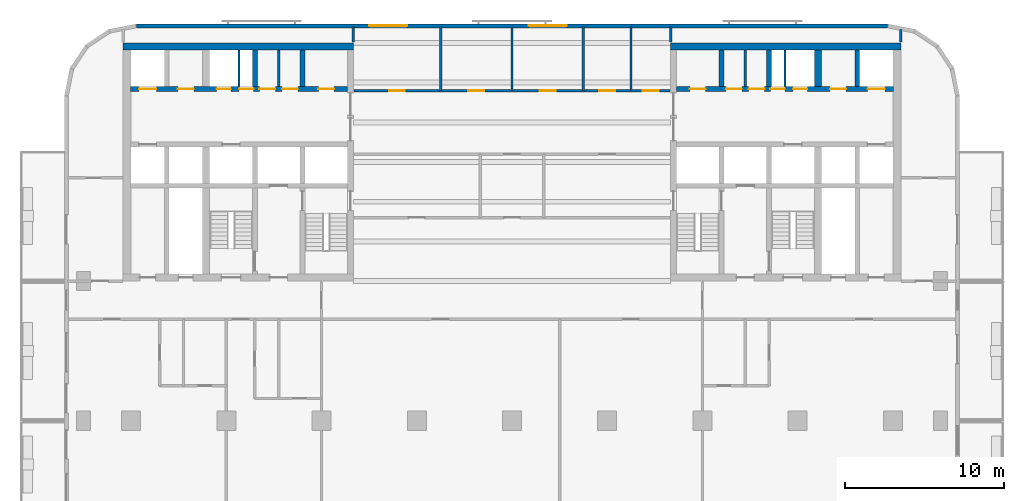
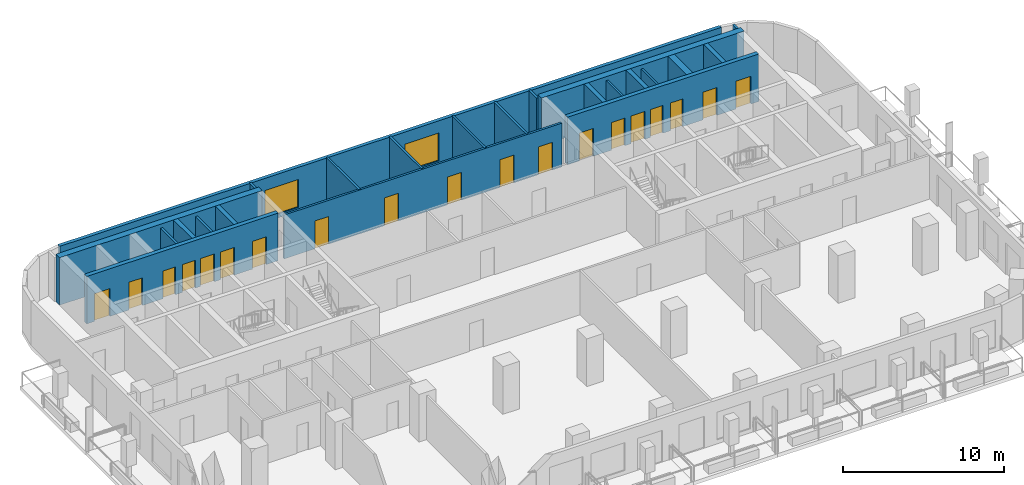
# One storey, part 6 of 11: 23 walls, 19 doors, 2 windows, 21 openings.
"""IFC4 building model written with IfcOpenShell, lengths in metres."""

import ifcopenshell
import ifcopenshell.guid

model = None  # the IFC model being written
_history = None  # IfcOwnerHistory: only IFC2X3 demands one
_inside = {}  # id of a spatial element -> (the spatial element, [elements in it])
_under = {}  # id of a project, library or spatial element -> (it, [spatial elements below it])
_declared = {}  # id of a project -> (the project, [libraries it declares])
_typed = {}  # id of a type object -> (the type object, [elements of that type])
_made_of = {}  # id of a material, layer set ... -> (it, [elements and type objects made of it])


def new_model(schema):
    """Start an empty IFC model of exactly this schema.

    Asked for "IFC4X3", IfcOpenShell would pick the latest addendum, in which some entities
    have other attributes; the version numbers below select the first issue.
    IFC2X3 requires an IfcOwnerHistory on every rooted entity: one is made here for all.
    """
    global model, _history
    if schema == "IFC4X3":
        model = ifcopenshell.file(schema_version=(4, 3, 0, 0))
    else:
        model = ifcopenshell.file(schema=schema)
    _inside.clear()
    _under.clear()
    _declared.clear()
    _typed.clear()
    _made_of.clear()
    _history = None
    if model.schema == "IFC2X3":
        org = make("IfcOrganization", Name="unknown")
        user = make(
            "IfcPersonAndOrganization",
            ThePerson=make("IfcPerson", FamilyName="unknown"),
            TheOrganization=org,
        )
        app = make(
            "IfcApplication",
            ApplicationDeveloper=org,
            Version="unknown",
            ApplicationFullName="unknown",
            ApplicationIdentifier="unknown",
        )
        _history = make(
            "IfcOwnerHistory",
            OwningUser=user,
            OwningApplication=app,
            ChangeAction="ADDED",
            CreationDate=0,
        )
    return model


def make(cls, **values):
    """One entity of the class cls with the attributes given. An attribute that is None is left unset."""
    return model.create_entity(
        cls, **{name: value for name, value in values.items() if value is not None}
    )


def rooted(cls, **values):
    """An entity with a GlobalId (a new one), such as an element, a storey or a relation."""
    return make(cls, GlobalId=ifcopenshell.guid.new(), OwnerHistory=_history, **values)


def si_unit(unit_type, name, prefix=None):
    """IfcSIUnit, for example si_unit("LENGTHUNIT", "METRE", prefix="MILLI")."""
    return make("IfcSIUnit", UnitType=unit_type, Prefix=prefix, Name=name)


def assignment(units):
    """IfcUnitAssignment: the units of a project."""
    return None if units is None else make("IfcUnitAssignment", Units=units)


def point(xyz):
    """IfcCartesianPoint."""
    return None if xyz is None else make("IfcCartesianPoint", Coordinates=xyz)


def direction(xyz):
    """IfcDirection."""
    return None if xyz is None else make("IfcDirection", DirectionRatios=xyz)


def frame(location, z_axis=None, x_axis=None):
    """IfcAxis2Placement3D, a coordinate frame: its origin and axes. An axis left out is left unset."""
    return make(
        "IfcAxis2Placement3D",
        Location=point(location),
        Axis=direction(z_axis),
        RefDirection=direction(x_axis),
    )


def frame_2d(location, x_axis=None):
    """IfcAxis2Placement2D, a coordinate frame in the plane: its origin and x axis."""
    return make(
        "IfcAxis2Placement2D", Location=point(location), RefDirection=direction(x_axis)
    )


def origin():
    """The frame at (0, 0, 0) with its axes left unset."""
    return frame((0.0, 0.0, 0.0))


def place(relative_to, where):
    """IfcLocalPlacement: puts the frame where relative to a parent placement (None: the world)."""
    return make(
        "IfcLocalPlacement", PlacementRelTo=relative_to, RelativePlacement=where
    )


def context(
    kind, dimensions, precision=None, world=None, true_north=None, identifier=None
):
    """IfcGeometricRepresentationContext, for example the 3D "Model" context."""
    return make(
        "IfcGeometricRepresentationContext",
        ContextIdentifier=identifier,
        ContextType=kind,
        CoordinateSpaceDimension=dimensions,
        Precision=precision,
        WorldCoordinateSystem=world,
        TrueNorth=true_north,
    )


def subcontext(parent, identifier, kind, view, scale=None):
    """IfcGeometricRepresentationSubContext, for example "Body" below "Model"."""
    return make(
        "IfcGeometricRepresentationSubContext",
        ContextIdentifier=identifier,
        ContextType=kind,
        ParentContext=parent,
        TargetScale=scale,
        TargetView=view,
    )


def project(units=None, contexts=None):
    """IfcProject with its units and contexts."""
    return rooted(
        "IfcProject",
        Name="project",
        RepresentationContexts=contexts,
        UnitsInContext=assignment(units),
    )


def spatial(cls, under=None, at=None, **own):
    """A site, building, storey or space (cls), placed at a placement, below another one or the project."""
    s = rooted(cls, ObjectPlacement=at, **own)
    if under is not None:
        _under.setdefault(under.id(), (under, []))[1].append(s)
    return s


def profile(cls, at=None, kind="AREA", **sizes):
    """A parametric profile (cls). Its sizes go by their IFC names, for example OverallWidth=200.0."""
    return make(cls, ProfileType=kind, Position=at, **sizes)


def rectangle(**sizes):
    """IfcRectangleProfileDef."""
    return profile("IfcRectangleProfileDef", **sizes)


def extrude(swept, where, along, depth):
    """IfcExtrudedAreaSolid: the profile swept, set in the frame where, extruded along a direction by depth."""
    return make(
        "IfcExtrudedAreaSolid",
        SweptArea=swept,
        Position=where,
        ExtrudedDirection=direction(along),
        Depth=depth,
    )


def shape(context_of_items, identifier, shape_type, items):
    """IfcShapeRepresentation: the items that make up one representation, for example the "Body"."""
    return make(
        "IfcShapeRepresentation",
        ContextOfItems=context_of_items,
        RepresentationIdentifier=identifier,
        RepresentationType=shape_type,
        Items=items,
    )


def material(Name=None, Category=None):
    """IfcMaterial."""
    return make("IfcMaterial", Name=Name, Category=Category)


def layer(
    of_material, thickness, ventilated=None, Name=None, Category=None, Priority=None
):
    """IfcMaterialLayer: one layer of a wall or slab, of a material (None: an air gap)."""
    return make(
        "IfcMaterialLayer",
        Material=of_material,
        LayerThickness=thickness,
        IsVentilated=ventilated,
        Name=Name,
        Category=Category,
        Priority=Priority,
    )


def layer_set(layers, Name=None):
    """IfcMaterialLayerSet."""
    return make("IfcMaterialLayerSet", MaterialLayers=layers, LayerSetName=Name)


def made_of(thing, what):
    """Note that an element or type object is made of a material, layer set ...; save() writes the relation."""
    if what is not None:
        _made_of.setdefault(what.id(), (what, []))[1].append(thing)
    return thing


def type_object(cls, material=None, **own):
    """A type object (cls), such as IfcWallType, which elements share."""
    return made_of(rooted(cls, **own), material)


def element(
    cls,
    number,
    at=None,
    inside=None,
    cuts=None,
    type_object=None,
    material=None,
    context=None,
    identifier="Body",
    shape_type=None,
    held_by="IfcProductDefinitionShape",
    body=None,
    shapes=None,
    **own,
):
    """One element of the class cls, such as IfcWall. Its Tag is "e" and its number.

    at: its placement. inside: the storey or other place that contains it. cuts: it is an
    opening in that element (IfcRelVoidsElement). A single representation is given by context,
    identifier, shape_type and body (its items); several are given by shapes. held_by: the class
    of the entity that holds the representations. save() writes the other relations.
    """
    e = rooted(cls, Tag="e%d" % number, ObjectPlacement=at, **own)
    if body is not None:
        shapes = [shape(context, identifier, shape_type, body)]
    if shapes is not None:
        e.Representation = make(held_by, Representations=shapes)
    if inside is not None:
        _inside.setdefault(inside.id(), (inside, []))[1].append(e)
    if cuts is not None:
        rooted(
            "IfcRelVoidsElement", RelatingBuildingElement=cuts, RelatedOpeningElement=e
        )
    if type_object is not None:
        _typed.setdefault(type_object.id(), (type_object, []))[1].append(e)
    return made_of(e, material)


def fill(opening, filler):
    """IfcRelFillsElement: the door or window that sits in an opening."""
    return rooted(
        "IfcRelFillsElement",
        RelatingOpeningElement=opening,
        RelatedBuildingElement=filler,
    )


def aggregate(whole, parts):
    """IfcRelAggregates: a whole, such as a stair, and the parts it consists of."""
    return rooted("IfcRelAggregates", RelatingObject=whole, RelatedObjects=parts)


def save(model, path):
    """Write the relations noted so far, then the file.

    IfcRelAggregates (storeys below a building ...), IfcRelContainedInSpatialStructure (elements
    in a storey), IfcRelDefinesByType, IfcRelAssociatesMaterial and IfcRelDeclares: one each for
    every whole, place, type object, material and project.
    """
    for whole, parts in _under.values():
        aggregate(whole, parts)
    for where, things in _inside.values():
        rooted(
            "IfcRelContainedInSpatialStructure",
            RelatedElements=things,
            RelatingStructure=where,
        )
    for kind, things in _typed.values():
        rooted("IfcRelDefinesByType", RelatedObjects=things, RelatingType=kind)
    for what, things in _made_of.values():
        rooted("IfcRelAssociatesMaterial", RelatedObjects=things, RelatingMaterial=what)
    for by, libraries in _declared.values():
        rooted("IfcRelDeclares", RelatingContext=by, RelatedDefinitions=libraries)
    model.write(path)


model = new_model("IFC4")

# Units and contexts
model_context = context("Model", 3, precision=1e-05, world=origin(), true_north=direction((0.0, 1.0)))
body_context = subcontext(model_context, "Body", "Model", "MODEL_VIEW")
ifc_project = project(units=[si_unit("LENGTHUNIT", "METRE"), si_unit("AREAUNIT", "SQUARE_METRE"), si_unit("VOLUMEUNIT", "CUBIC_METRE"), si_unit("PLANEANGLEUNIT", "RADIAN"), si_unit("MASSUNIT", "GRAM", prefix="KILO")], contexts=[model_context])

# Site, building, storey
site_placement = place(None, origin())
site = spatial("IfcSite", under=ifc_project, at=site_placement, CompositionType="ELEMENT")
building_placement = place(site_placement, origin())
building = spatial("IfcBuilding", under=site, at=building_placement, Name="Torana Hotel and Residences", CompositionType="ELEMENT")
storey_placement = place(building_placement, frame((0.0, 0.0, 166.800048828125)))
storey = spatial("IfcBuildingStorey", under=building, at=storey_placement, Name="L43", CompositionType="ELEMENT", Elevation=166.800048828125)

# Wall, openings, doors
ifc_material_1 = material(Name="Concrete C70/85", Category="concrete")
ifc_layer_1 = layer(ifc_material_1, 0.300048828125)
ifc_layer_set_1 = layer_set([ifc_layer_1], Name="CORE WALL 300 C70/85")
wall_type_1 = type_object("IfcWallType", Name="CORE WALL 300 C70/85", PredefinedType="SHEAR", material=ifc_layer_set_1)
wall_1_placement = place(storey_placement, frame((-24.050048828125, -2.89990234375, 0.0), z_axis=(0.0, 0.0, 1.0), x_axis=(1.0, 0.0, 0.0)))
wall_1 = element("IfcWall", 1, at=wall_1_placement, inside=storey, type_object=wall_type_1, Name="Core wall W row-N", PredefinedType="SHEAR", context=body_context, shape_type="SweptSolid", body=[
    extrude(rectangle(XDim=13.699951171875, YDim=0.300048828125, at=frame_2d((6.85009765625, 0.0))), origin(), (0.0, 0.0, 1.0), 3.599853515625),
])
opening_1_placement = place(wall_1_placement, frame((0.550048828125, 0.0, 0.0)))
opening_1 = element("IfcOpeningElement", 2, at=opening_1_placement, cuts=wall_1, Name="Opening LD", PredefinedType="OPENING", context=body_context, shape_type="SweptSolid", body=[
    extrude(rectangle(XDim=1.10009765625, YDim=2.10009765625, at=frame_2d((0.550048828125, 1.050048828125))), frame((0.0, 0.159912109375, 0.0), z_axis=(0.0, -1.0, 0.0), x_axis=(1.0, 0.0, 0.0)), (0.0, 0.0, 1.0), 0.320068359375),
])
opening_2_placement = place(wall_1_placement, frame((6.862548828125, 0.0, 0.0)))
opening_2 = element("IfcOpeningElement", 3, at=opening_2_placement, cuts=wall_1, Name="Opening L43-08", PredefinedType="OPENING", context=body_context, shape_type="SweptSolid", body=[
    extrude(rectangle(XDim=0.89990234375, YDim=2.10009765625, at=frame_2d((0.449951171875, 1.050048828125))), frame((0.0, 0.159912109375, 0.0), z_axis=(0.0, -1.0, 0.0), x_axis=(1.0, 0.0, 0.0)), (0.0, 0.0, 1.0), 0.320068359375),
])
opening_3_placement = place(wall_1_placement, frame((5.4375, 0.0, 0.0)))
opening_3 = element("IfcOpeningElement", 4, at=opening_3_placement, cuts=wall_1, Name="Opening L43-09", PredefinedType="OPENING", context=body_context, shape_type="SweptSolid", body=[
    extrude(rectangle(XDim=0.89990234375, YDim=2.10009765625, at=frame_2d((0.449951171875, 1.050048828125))), frame((0.0, 0.159912109375, 0.0), z_axis=(0.0, -1.0, 0.0), x_axis=(1.0, 0.0, 0.0)), (0.0, 0.0, 1.0), 0.320068359375),
])
opening_4_placement = place(wall_1_placement, frame((11.85009765625, 0.0, 0.0)))
opening_4 = element("IfcOpeningElement", 5, at=opening_4_placement, cuts=wall_1, Name="Opening L43-10", PredefinedType="OPENING", context=body_context, shape_type="SweptSolid", body=[
    extrude(rectangle(XDim=1.0, YDim=2.10009765625, at=frame_2d((0.5, 1.050048828125))), frame((0.0, 0.159912109375, 0.0), z_axis=(0.0, -1.0, 0.0), x_axis=(1.0, 0.0, 0.0)), (0.0, 0.0, 1.0), 0.320068359375),
])
opening_5_placement = place(wall_1_placement, frame((9.5625, 0.0, 0.0)))
opening_5 = element("IfcOpeningElement", 6, at=opening_5_placement, cuts=wall_1, Name="Opening L43-11", PredefinedType="OPENING", context=body_context, shape_type="SweptSolid", body=[
    extrude(rectangle(XDim=1.0, YDim=2.10009765625, at=frame_2d((0.5, 1.050048828125))), frame((0.0, 0.159912109375, 0.0), z_axis=(0.0, -1.0, 0.0), x_axis=(1.0, 0.0, 0.0)), (0.0, 0.0, 1.0), 0.320068359375),
])
opening_6_placement = place(wall_1_placement, frame((8.137451171875, 0.0, 0.0)))
opening_6 = element("IfcOpeningElement", 7, at=opening_6_placement, cuts=wall_1, Name="Opening L43-12", PredefinedType="OPENING", context=body_context, shape_type="SweptSolid", body=[
    extrude(rectangle(XDim=1.0, YDim=2.10009765625, at=frame_2d((0.5, 1.050048828125))), frame((0.0, 0.159912109375, 0.0), z_axis=(0.0, -1.0, 0.0), x_axis=(1.0, 0.0, 0.0)), (0.0, 0.0, 1.0), 0.320068359375),
])
opening_7_placement = place(wall_1_placement, frame((3.0, 0.0, 0.0)))
opening_7 = element("IfcOpeningElement", 8, at=opening_7_placement, cuts=wall_1, Name="Opening L43-13", PredefinedType="OPENING", context=body_context, shape_type="SweptSolid", body=[
    extrude(rectangle(XDim=1.0, YDim=2.10009765625, at=frame_2d((0.5, 1.050048828125))), frame((0.0, 0.159912109375, 0.0), z_axis=(0.0, -1.0, 0.0), x_axis=(1.0, 0.0, 0.0)), (0.0, 0.0, 1.0), 0.320068359375),
])
ifc_material_2 = material(Name="Steel S235", Category="steel")
door_type_1 = type_object("IfcDoorType", Name="CORE ROOM FIRE DOOR D14 1000x2100", OperationType="SINGLE_SWING_LEFT", PredefinedType="DOOR", material=ifc_material_2)
door_1_placement = place(opening_4_placement, origin())
door_1 = element("IfcDoor", 9, at=door_1_placement, inside=storey, type_object=door_type_1, Name="N0 door L43", OperationType="SINGLE_SWING_RIGHT", OverallHeight=2.10009765625, OverallWidth=1.0, PredefinedType="DOOR", context=body_context, shape_type="SweptSolid", body=[
    extrude(rectangle(XDim=1.0, YDim=2.10009765625, at=frame_2d((0.5, 1.050048828125))), frame((0.0, 0.02490234375, 0.0), z_axis=(0.0, -1.0, 0.0), x_axis=(1.0, 0.0, 0.0)), (0.0, 0.0, 1.0), 0.050048828125),
])
fill(opening_4, door_1)
door_2_placement = place(opening_5_placement, origin())
door_2 = element("IfcDoor", 10, at=door_2_placement, inside=storey, type_object=door_type_1, Name="N1A door L43", OperationType="SINGLE_SWING_RIGHT", OverallHeight=2.10009765625, OverallWidth=1.0, PredefinedType="DOOR", context=body_context, shape_type="SweptSolid", body=[
    extrude(rectangle(XDim=1.0, YDim=2.10009765625, at=frame_2d((0.5, 1.050048828125))), frame((0.0, 0.02490234375, 0.0), z_axis=(0.0, -1.0, 0.0), x_axis=(1.0, 0.0, 0.0)), (0.0, 0.0, 1.0), 0.050048828125),
])
fill(opening_5, door_2)
door_3_placement = place(opening_6_placement, origin())
door_3 = element("IfcDoor", 11, at=door_3_placement, inside=storey, type_object=door_type_1, Name="N1B door L43", OperationType="SINGLE_SWING_RIGHT", OverallHeight=2.10009765625, OverallWidth=1.0, PredefinedType="DOOR", context=body_context, shape_type="SweptSolid", body=[
    extrude(rectangle(XDim=1.0, YDim=2.10009765625, at=frame_2d((0.5, 1.050048828125))), frame((0.0, 0.02490234375, 0.0), z_axis=(0.0, -1.0, 0.0), x_axis=(1.0, 0.0, 0.0)), (0.0, 0.0, 1.0), 0.050048828125),
])
fill(opening_6, door_3)
door_4_placement = place(opening_7_placement, origin())
door_4 = element("IfcDoor", 12, at=door_4_placement, inside=storey, type_object=door_type_1, Name="Freed-S1 door L43", OperationType="SINGLE_SWING_RIGHT", OverallHeight=2.10009765625, OverallWidth=1.0, PredefinedType="DOOR", context=body_context, shape_type="SweptSolid", body=[
    extrude(rectangle(XDim=1.0, YDim=2.10009765625, at=frame_2d((0.5, 1.050048828125))), frame((0.0, 0.02490234375, 0.0), z_axis=(0.0, -1.0, 0.0), x_axis=(1.0, 0.0, 0.0)), (0.0, 0.0, 1.0), 0.050048828125),
])
fill(opening_7, door_4)
ifc_material_3 = material(Name="Stainless steel 316", Category="steel")
door_type_2 = type_object("IfcDoorType", Name="LIFT LANDING DOOR LD 1100x2100", OperationType="DOUBLE_DOOR_SLIDING", PredefinedType="USERDEFINED", material=ifc_material_3)
door_5_placement = place(opening_1_placement, origin())
door_5 = element("IfcDoor", 13, at=door_5_placement, inside=storey, type_object=door_type_2, Name="Lift landing door M1 L43", ObjectType="LIFT LANDING DOOR", OperationType="DOUBLE_DOOR_SLIDING", OverallHeight=2.10009765625, OverallWidth=1.10009765625, PredefinedType="USERDEFINED", context=body_context, shape_type="SweptSolid", body=[
    extrude(rectangle(XDim=1.10009765625, YDim=2.10009765625, at=frame_2d((0.550048828125, 1.050048828125))), frame((0.0, 0.02490234375, 0.0), z_axis=(0.0, -1.0, 0.0), x_axis=(1.0, 0.0, 0.0)), (0.0, 0.0, 1.0), 0.050048828125),
])
fill(opening_1, door_5)
ifc_material_4 = material(Name="Steel S235", Category="steel")
door_type_3 = type_object("IfcDoorType", Name="RISER ACCESS DOOR D5 900x2100", OperationType="SINGLE_SWING_LEFT", PredefinedType="DOOR", material=ifc_material_4)
door_6_placement = place(opening_2_placement, origin())
door_6 = element("IfcDoor", 14, at=door_6_placement, inside=storey, type_object=door_type_3, Name="N2A door L43", OperationType="SINGLE_SWING_LEFT", OverallHeight=2.10009765625, OverallWidth=0.89990234375, PredefinedType="DOOR", context=body_context, shape_type="SweptSolid", body=[
    extrude(rectangle(XDim=0.89990234375, YDim=2.10009765625, at=frame_2d((0.449951171875, 1.050048828125))), frame((0.0, 0.02490234375, 0.0), z_axis=(0.0, -1.0, 0.0), x_axis=(1.0, 0.0, 0.0)), (0.0, 0.0, 1.0), 0.050048828125),
])
fill(opening_2, door_6)
door_7_placement = place(opening_3_placement, origin())
door_7 = element("IfcDoor", 15, at=door_7_placement, inside=storey, type_object=door_type_3, Name="N2B door L43", OperationType="SINGLE_SWING_RIGHT", OverallHeight=2.10009765625, OverallWidth=0.89990234375, PredefinedType="DOOR", context=body_context, shape_type="SweptSolid", body=[
    extrude(rectangle(XDim=0.89990234375, YDim=2.10009765625, at=frame_2d((0.449951171875, 1.050048828125))), frame((0.0, 0.02490234375, 0.0), z_axis=(0.0, -1.0, 0.0), x_axis=(1.0, 0.0, 0.0)), (0.0, 0.0, 1.0), 0.050048828125),
])
fill(opening_3, door_7)

# Walls
for number, where, z_axis, x_axis, name in (
    (16, (-13.199951171875, -2.75, 0.0), (0.0, 0.0, 1.0), (0.0, 1.0, 0.0), "Core wall W x3.05-N"),
    (17, (-16.199951171875, -2.75, 0.0), (0.0, 0.0, 1.0), (0.0, 1.0, 0.0), "Core wall W x6.05-N"),
):
    element("IfcWall", number, at=place(storey_placement, frame(where, z_axis=z_axis, x_axis=x_axis)), inside=storey, type_object=wall_type_1, Name=name, PredefinedType="SHEAR", context=body_context, shape_type="SweptSolid", body=[
        extrude(rectangle(XDim=2.300048828125, YDim=0.300048828125, at=frame_2d((1.14990234375, 0.0))), origin(), (0.0, 0.0, 1.0), 3.599853515625),
    ])

# Wall, openings, doors
wall_2_placement = place(storey_placement, frame((10.35009765625, -2.89990234375, 0.0), z_axis=(0.0, 0.0, 1.0), x_axis=(1.0, 0.0, 0.0)))
wall_2 = element("IfcWall", 18, at=wall_2_placement, inside=storey, type_object=wall_type_1, Name="Core wall E row-N", PredefinedType="SHEAR", context=body_context, shape_type="SweptSolid", body=[
    extrude(rectangle(XDim=13.699951171875, YDim=0.300048828125, at=frame_2d((6.85009765625, 0.0))), origin(), (0.0, 0.0, 1.0), 3.599853515625),
])
opening_8_placement = place(wall_2_placement, frame((12.050048828125, 0.0, 0.0)))
opening_8 = element("IfcOpeningElement", 19, at=opening_8_placement, cuts=wall_2, Name="Opening LD", PredefinedType="OPENING", context=body_context, shape_type="SweptSolid", body=[
    extrude(rectangle(XDim=1.10009765625, YDim=2.10009765625, at=frame_2d((0.550048828125, 1.050048828125))), frame((0.0, 0.159912109375, 0.0), z_axis=(0.0, -1.0, 0.0), x_axis=(1.0, 0.0, 0.0)), (0.0, 0.0, 1.0), 0.320068359375),
])
opening_9_placement = place(wall_2_placement, frame((5.9375, 0.0, 0.0)))
opening_9 = element("IfcOpeningElement", 20, at=opening_9_placement, cuts=wall_2, Name="Opening L43-23", PredefinedType="OPENING", context=body_context, shape_type="SweptSolid", body=[
    extrude(rectangle(XDim=0.89990234375, YDim=2.10009765625, at=frame_2d((0.449951171875, 1.050048828125))), frame((0.0, 0.159912109375, 0.0), z_axis=(0.0, -1.0, 0.0), x_axis=(1.0, 0.0, 0.0)), (0.0, 0.0, 1.0), 0.320068359375),
])
opening_10_placement = place(wall_2_placement, frame((7.362548828125, 0.0, 0.0)))
opening_10 = element("IfcOpeningElement", 21, at=opening_10_placement, cuts=wall_2, Name="Opening L43-24", PredefinedType="OPENING", context=body_context, shape_type="SweptSolid", body=[
    extrude(rectangle(XDim=0.89990234375, YDim=2.10009765625, at=frame_2d((0.449951171875, 1.050048828125))), frame((0.0, 0.159912109375, 0.0), z_axis=(0.0, -1.0, 0.0), x_axis=(1.0, 0.0, 0.0)), (0.0, 0.0, 1.0), 0.320068359375),
])
opening_11_placement = place(wall_2_placement, frame((0.85009765625, 0.0, 0.0)))
opening_11 = element("IfcOpeningElement", 22, at=opening_11_placement, cuts=wall_2, Name="Opening L43-25", PredefinedType="OPENING", context=body_context, shape_type="SweptSolid", body=[
    extrude(rectangle(XDim=1.0, YDim=2.10009765625, at=frame_2d((0.5, 1.050048828125))), frame((0.0, 0.159912109375, 0.0), z_axis=(0.0, -1.0, 0.0), x_axis=(1.0, 0.0, 0.0)), (0.0, 0.0, 1.0), 0.320068359375),
])
opening_12_placement = place(wall_2_placement, frame((3.137451171875, 0.0, 0.0)))
opening_12 = element("IfcOpeningElement", 23, at=opening_12_placement, cuts=wall_2, Name="Opening L43-26", PredefinedType="OPENING", context=body_context, shape_type="SweptSolid", body=[
    extrude(rectangle(XDim=1.0, YDim=2.10009765625, at=frame_2d((0.5, 1.050048828125))), frame((0.0, 0.159912109375, 0.0), z_axis=(0.0, -1.0, 0.0), x_axis=(1.0, 0.0, 0.0)), (0.0, 0.0, 1.0), 0.320068359375),
])
opening_13_placement = place(wall_2_placement, frame((4.5625, 0.0, 0.0)))
opening_13 = element("IfcOpeningElement", 24, at=opening_13_placement, cuts=wall_2, Name="Opening L43-27", PredefinedType="OPENING", context=body_context, shape_type="SweptSolid", body=[
    extrude(rectangle(XDim=1.0, YDim=2.10009765625, at=frame_2d((0.5, 1.050048828125))), frame((0.0, 0.159912109375, 0.0), z_axis=(0.0, -1.0, 0.0), x_axis=(1.0, 0.0, 0.0)), (0.0, 0.0, 1.0), 0.320068359375),
])
opening_14_placement = place(wall_2_placement, frame((9.699951171875, 0.0, 0.0)))
opening_14 = element("IfcOpeningElement", 25, at=opening_14_placement, cuts=wall_2, Name="Opening L43-28", PredefinedType="OPENING", context=body_context, shape_type="SweptSolid", body=[
    extrude(rectangle(XDim=1.0, YDim=2.10009765625, at=frame_2d((0.5, 1.050048828125))), frame((0.0, 0.159912109375, 0.0), z_axis=(0.0, -1.0, 0.0), x_axis=(1.0, 0.0, 0.0)), (0.0, 0.0, 1.0), 0.320068359375),
])
door_8_placement = place(opening_11_placement, origin())
door_8 = element("IfcDoor", 26, at=door_8_placement, inside=storey, type_object=door_type_1, Name="N0 door L43", OperationType="SINGLE_SWING_RIGHT", OverallHeight=2.10009765625, OverallWidth=1.0, PredefinedType="DOOR", context=body_context, shape_type="SweptSolid", body=[
    extrude(rectangle(XDim=1.0, YDim=2.10009765625, at=frame_2d((0.5, 1.050048828125))), frame((0.0, 0.02490234375, 0.0), z_axis=(0.0, -1.0, 0.0), x_axis=(1.0, 0.0, 0.0)), (0.0, 0.0, 1.0), 0.050048828125),
])
fill(opening_11, door_8)
door_9_placement = place(opening_12_placement, origin())
door_9 = element("IfcDoor", 27, at=door_9_placement, inside=storey, type_object=door_type_1, Name="N1A door L43", OperationType="SINGLE_SWING_RIGHT", OverallHeight=2.10009765625, OverallWidth=1.0, PredefinedType="DOOR", context=body_context, shape_type="SweptSolid", body=[
    extrude(rectangle(XDim=1.0, YDim=2.10009765625, at=frame_2d((0.5, 1.050048828125))), frame((0.0, 0.02490234375, 0.0), z_axis=(0.0, -1.0, 0.0), x_axis=(1.0, 0.0, 0.0)), (0.0, 0.0, 1.0), 0.050048828125),
])
fill(opening_12, door_9)
door_10_placement = place(opening_13_placement, origin())
door_10 = element("IfcDoor", 28, at=door_10_placement, inside=storey, type_object=door_type_1, Name="N1B door L43", OperationType="SINGLE_SWING_RIGHT", OverallHeight=2.10009765625, OverallWidth=1.0, PredefinedType="DOOR", context=body_context, shape_type="SweptSolid", body=[
    extrude(rectangle(XDim=1.0, YDim=2.10009765625, at=frame_2d((0.5, 1.050048828125))), frame((0.0, 0.02490234375, 0.0), z_axis=(0.0, -1.0, 0.0), x_axis=(1.0, 0.0, 0.0)), (0.0, 0.0, 1.0), 0.050048828125),
])
fill(opening_13, door_10)
door_11_placement = place(opening_14_placement, origin())
door_11 = element("IfcDoor", 29, at=door_11_placement, inside=storey, type_object=door_type_1, Name="Freed-S2 door L43", OperationType="SINGLE_SWING_RIGHT", OverallHeight=2.10009765625, OverallWidth=1.0, PredefinedType="DOOR", context=body_context, shape_type="SweptSolid", body=[
    extrude(rectangle(XDim=1.0, YDim=2.10009765625, at=frame_2d((0.5, 1.050048828125))), frame((0.0, 0.02490234375, 0.0), z_axis=(0.0, -1.0, 0.0), x_axis=(1.0, 0.0, 0.0)), (0.0, 0.0, 1.0), 0.050048828125),
])
fill(opening_14, door_11)
door_12_placement = place(opening_8_placement, origin())
door_12 = element("IfcDoor", 30, at=door_12_placement, inside=storey, type_object=door_type_2, Name="Lift landing door M3 L43", ObjectType="LIFT LANDING DOOR", OperationType="DOUBLE_DOOR_SLIDING", OverallHeight=2.10009765625, OverallWidth=1.10009765625, PredefinedType="USERDEFINED", context=body_context, shape_type="SweptSolid", body=[
    extrude(rectangle(XDim=1.10009765625, YDim=2.10009765625, at=frame_2d((0.550048828125, 1.050048828125))), frame((0.0, 0.02490234375, 0.0), z_axis=(0.0, -1.0, 0.0), x_axis=(1.0, 0.0, 0.0)), (0.0, 0.0, 1.0), 0.050048828125),
])
fill(opening_8, door_12)
door_13_placement = place(opening_9_placement, origin())
door_13 = element("IfcDoor", 31, at=door_13_placement, inside=storey, type_object=door_type_3, Name="N2A door L43", OperationType="SINGLE_SWING_RIGHT", OverallHeight=2.10009765625, OverallWidth=0.89990234375, PredefinedType="DOOR", context=body_context, shape_type="SweptSolid", body=[
    extrude(rectangle(XDim=0.89990234375, YDim=2.10009765625, at=frame_2d((0.449951171875, 1.050048828125))), frame((0.0, 0.02490234375, 0.0), z_axis=(0.0, -1.0, 0.0), x_axis=(1.0, 0.0, 0.0)), (0.0, 0.0, 1.0), 0.050048828125),
])
fill(opening_9, door_13)
door_14_placement = place(opening_10_placement, origin())
door_14 = element("IfcDoor", 32, at=door_14_placement, inside=storey, type_object=door_type_3, Name="N2B door L43", OperationType="SINGLE_SWING_RIGHT", OverallHeight=2.10009765625, OverallWidth=0.89990234375, PredefinedType="DOOR", context=body_context, shape_type="SweptSolid", body=[
    extrude(rectangle(XDim=0.89990234375, YDim=2.10009765625, at=frame_2d((0.449951171875, 1.050048828125))), frame((0.0, 0.02490234375, 0.0), z_axis=(0.0, -1.0, 0.0), x_axis=(1.0, 0.0, 0.0)), (0.0, 0.0, 1.0), 0.050048828125),
])
fill(opening_10, door_14)

# Walls
for number, where, z_axis, x_axis, name in (
    (33, (13.199951171875, -2.75, 0.0), (0.0, 0.0, 1.0), (0.0, 1.0, 0.0), "Core wall E x3.05-N"),
    (34, (16.199951171875, -2.75, 0.0), (0.0, 0.0, 1.0), (0.0, 1.0, 0.0), "Core wall E x6.05-N"),
    (35, (21.75, -2.75, 0.0), (0.0, 0.0, 1.0), (0.0, 1.0, 0.0), "Core wall E mm-N"),
):
    element("IfcWall", number, at=place(storey_placement, frame(where, z_axis=z_axis, x_axis=x_axis)), inside=storey, type_object=wall_type_1, Name=name, PredefinedType="SHEAR", context=body_context, shape_type="SweptSolid", body=[
        extrude(rectangle(XDim=2.300048828125, YDim=0.300048828125, at=frame_2d((1.14990234375, 0.0))), origin(), (0.0, 0.0, 1.0), 3.599853515625),
    ])
ifc_material_5 = material(Name="Concrete C70/85", Category="concrete")
ifc_layer_2 = layer(ifc_material_5, 0.449951171875)
ifc_layer_set_2 = layer_set([ifc_layer_2], Name="CORE WALL 450 C70/85")
wall_type_2 = type_object("IfcWallType", Name="CORE WALL 450 C70/85", PredefinedType="SHEAR", material=ifc_layer_set_2)
for number, where, z_axis, x_axis, name in (
    (36, (-24.5, -0.22509765625, 0.0), (0.0, 0.0, 1.0), (1.0, 0.0, 0.0), "Core wall W rear"),
    (37, (10.0, -0.22509765625, 0.0), (0.0, 0.0, 1.0), (1.0, 0.0, 0.0), "Core wall E rear"),
):
    element("IfcWall", number, at=place(storey_placement, frame(where, z_axis=z_axis, x_axis=x_axis)), inside=storey, type_object=wall_type_2, Name=name, PredefinedType="SHEAR", context=body_context, shape_type="SweptSolid", body=[
        extrude(rectangle(XDim=14.5, YDim=0.449951171875, at=frame_2d((7.25, 0.0))), origin(), (0.0, 0.0, 1.0), 3.599853515625),
    ])
wall_3_placement = place(storey_placement, frame((19.27490234375, -2.75, 0.0), z_axis=(0.0, 0.0, 1.0), x_axis=(0.0, 1.0, 0.0)))
element("IfcWall", 38, at=wall_3_placement, inside=storey, type_object=wall_type_2, Name="Core wall E hm-N", PredefinedType="SHEAR", context=body_context, shape_type="SweptSolid", body=[
    extrude(rectangle(XDim=2.300048828125, YDim=0.449951171875, at=frame_2d((1.14990234375, 0.0))), origin(), (0.0, 0.0, 1.0), 3.599853515625),
])

# Wall, openings, windows
ifc_material_6 = material(Name="Concrete C40/50 precast", Category="concrete")
ifc_layer_3 = layer(ifc_material_6, 0.10009765625, Name="Perforated block", Category="cladding")
ifc_material_7 = material(Name="Air cavity")
ifc_layer_4 = layer(ifc_material_7, 0.030029296875, Name="Cavity", Category="cavity")
ifc_material_8 = material(Name="Concrete C40/50", Category="concrete")
ifc_layer_5 = layer(ifc_material_8, 0.10009765625, Name="Wall", Category="structure")
ifc_material_9 = material(Name="Plaster and paint")
ifc_layer_6 = layer(ifc_material_9, 0.02001953125, Name="Inner finish", Category="finish")
ifc_layer_set_3 = layer_set([ifc_layer_3, ifc_layer_4, ifc_layer_5, ifc_layer_6], Name="EW2 PERFORATED BLOCK SCREEN WALL 250")
wall_type_3 = type_object("IfcWallType", Name="EW2 PERFORATED BLOCK SCREEN WALL 250", PredefinedType="SOLIDWALL", material=ifc_layer_set_3)
wall_4_placement = place(storey_placement, frame((23.67529296875, 1.074951171875, 0.0), z_axis=(0.0, 0.0, 1.0), x_axis=(-1.0, 0.0, 0.0)))
wall_4 = element("IfcWall", 39, at=wall_4_placement, inside=storey, type_object=wall_type_3, Name="External wall L43 e0.4", PredefinedType="SOLIDWALL", context=body_context, shape_type="SweptSolid", body=[
    extrude(rectangle(XDim=47.3505859375, YDim=0.25, at=frame_2d((23.67529296875, 0.0))), origin(), (0.0, 0.0, 1.0), 3.320068359375),
])
opening_15_placement = place(wall_4_placement, frame((20.225341796875, 0.0, 0.300048828125)))
opening_15 = element("IfcOpeningElement", 40, at=opening_15_placement, cuts=wall_4, Name="Opening W1", PredefinedType="OPENING", context=body_context, shape_type="SweptSolid", body=[
    extrude(rectangle(XDim=2.39990234375, YDim=2.10009765625, at=frame_2d((1.199951171875, 1.050048828125))), frame((0.0, 0.135009765625, 0.0), z_axis=(0.0, -1.0, 0.0), x_axis=(1.0, 0.0, 0.0)), (0.0, 0.0, 1.0), 0.27001953125),
])
opening_16_placement = place(wall_4_placement, frame((30.275390625, 0.0, 0.300048828125)))
opening_16 = element("IfcOpeningElement", 41, at=opening_16_placement, cuts=wall_4, Name="Opening W1", PredefinedType="OPENING", context=body_context, shape_type="SweptSolid", body=[
    extrude(rectangle(XDim=2.39990234375, YDim=2.10009765625, at=frame_2d((1.199951171875, 1.050048828125))), frame((0.0, 0.135009765625, 0.0), z_axis=(0.0, -1.0, 0.0), x_axis=(1.0, 0.0, 0.0)), (0.0, 0.0, 1.0), 0.27001953125),
])
ifc_material_10 = material(Name="Dark glass in black aluminium frame", Category="aluminium")
window_type = type_object("IfcWindowType", Name="W1 HOTEL ROOM WINDOW 2400x2100", PartitioningType="SINGLE_PANEL", PredefinedType="WINDOW", material=ifc_material_10)
window_1_placement = place(opening_15_placement, origin())
window_1 = element("IfcWindow", 42, at=window_1_placement, inside=storey, type_object=window_type, Name="Window L43", OverallHeight=2.10009765625, OverallWidth=2.39990234375, PartitioningType="SINGLE_PANEL", PredefinedType="WINDOW", context=body_context, shape_type="SweptSolid", body=[
    extrude(rectangle(XDim=2.39990234375, YDim=2.10009765625, at=frame_2d((1.199951171875, 1.050048828125))), frame((0.0, 0.030029296875, 0.0), z_axis=(0.0, -1.0, 0.0), x_axis=(1.0, 0.0, 0.0)), (0.0, 0.0, 1.0), 0.06005859375),
])
fill(opening_15, window_1)
window_2_placement = place(opening_16_placement, origin())
window_2 = element("IfcWindow", 43, at=window_2_placement, inside=storey, type_object=window_type, Name="Window L43", OverallHeight=2.10009765625, OverallWidth=2.39990234375, PartitioningType="SINGLE_PANEL", PredefinedType="WINDOW", context=body_context, shape_type="SweptSolid", body=[
    extrude(rectangle(XDim=2.39990234375, YDim=2.10009765625, at=frame_2d((1.199951171875, 1.050048828125))), frame((0.0, 0.030029296875, 0.0), z_axis=(0.0, -1.0, 0.0), x_axis=(1.0, 0.0, 0.0)), (0.0, 0.0, 1.0), 0.06005859375),
])
fill(opening_16, window_2)

# Walls
ifc_material_11 = material(Name="Gypsum plaster")
ifc_layer_7 = layer(ifc_material_11, 0.014892578125, Name="Plaster", Category="finish")
ifc_material_12 = material(Name="Concrete blockwork", Category="masonry")
ifc_layer_8 = layer(ifc_material_12, 0.1201171875, Name="Blockwork", Category="structure")
ifc_layer_9 = layer(ifc_material_11, 0.014892578125, Name="Plaster", Category="finish")
ifc_layer_set_4 = layer_set([ifc_layer_7, ifc_layer_8, ifc_layer_9], Name="FIRE PARTITION 150 BLOCKWORK")
wall_type_4 = type_object("IfcWallType", Name="FIRE PARTITION 150 BLOCKWORK", PredefinedType="PARTITIONING", material=ifc_layer_set_4)
for number, where, z_axis, x_axis, name in (
    (44, (-17.199951171875, -2.75, 0.0), (0.0, 0.0, 1.0), (0.0, 1.0, 0.0), "Core partition L43"),
    (45, (-14.699951171875, -2.75, 0.0), (0.0, 0.0, 1.0), (0.0, 1.0, 0.0), "Core partition L43"),
    (46, (17.199951171875, -2.75, 0.0), (0.0, 0.0, 1.0), (0.0, 1.0, 0.0), "Core partition L43"),
    (47, (14.699951171875, -2.75, 0.0), (0.0, 0.0, 1.0), (0.0, 1.0, 0.0), "Core partition L43"),
):
    element("IfcWall", number, at=place(storey_placement, frame(where, z_axis=z_axis, x_axis=x_axis)), inside=storey, type_object=wall_type_4, Name=name, PredefinedType="PARTITIONING", context=body_context, shape_type="SweptSolid", body=[
        extrude(rectangle(XDim=2.300048828125, YDim=0.14990234375, at=frame_2d((1.14990234375, 0.0))), origin(), (0.0, 0.0, 1.0), 3.300048828125),
    ])

# Wall, openings, doors
wall_5_placement = place(storey_placement, frame((-9.949951171875, -3.0, 0.0), z_axis=(0.0, 0.0, 1.0), x_axis=(1.0, 0.0, 0.0)))
wall_5 = element("IfcWall", 48, at=wall_5_placement, inside=storey, type_object=wall_type_4, Name="Partition L43", PredefinedType="PARTITIONING", context=body_context, shape_type="SweptSolid", body=[
    extrude(rectangle(XDim=19.89990234375, YDim=0.14990234375, at=frame_2d((9.949951171875, 0.0))), origin(), (0.0, 0.0, 1.0), 3.320068359375),
])
opening_17_placement = place(wall_5_placement, frame((2.199951171875, 0.0, 0.0)))
opening_17 = element("IfcOpeningElement", 49, at=opening_17_placement, cuts=wall_5, Name="Opening L43-44", PredefinedType="OPENING", context=body_context, shape_type="SweptSolid", body=[
    extrude(rectangle(XDim=1.0, YDim=2.10009765625, at=frame_2d((0.5, 1.050048828125))), frame((0.0, 0.0849609375, 0.0), z_axis=(0.0, -1.0, 0.0), x_axis=(1.0, 0.0, 0.0)), (0.0, 0.0, 1.0), 0.169921875),
])
opening_18_placement = place(wall_5_placement, frame((7.199951171875, 0.0, 0.0)))
opening_18 = element("IfcOpeningElement", 50, at=opening_18_placement, cuts=wall_5, Name="Opening L43-45", PredefinedType="OPENING", context=body_context, shape_type="SweptSolid", body=[
    extrude(rectangle(XDim=1.0, YDim=2.10009765625, at=frame_2d((0.5, 1.050048828125))), frame((0.0, 0.0849609375, 0.0), z_axis=(0.0, -1.0, 0.0), x_axis=(1.0, 0.0, 0.0)), (0.0, 0.0, 1.0), 0.169921875),
])
opening_19_placement = place(wall_5_placement, frame((11.699951171875, 0.0, 0.0)))
opening_19 = element("IfcOpeningElement", 51, at=opening_19_placement, cuts=wall_5, Name="Opening L43-46", PredefinedType="OPENING", context=body_context, shape_type="SweptSolid", body=[
    extrude(rectangle(XDim=1.0, YDim=2.10009765625, at=frame_2d((0.5, 1.050048828125))), frame((0.0, 0.0849609375, 0.0), z_axis=(0.0, -1.0, 0.0), x_axis=(1.0, 0.0, 0.0)), (0.0, 0.0, 1.0), 0.169921875),
])
opening_20_placement = place(wall_5_placement, frame((15.449951171875, 0.0, 0.0)))
opening_20 = element("IfcOpeningElement", 52, at=opening_20_placement, cuts=wall_5, Name="Opening L43-47", PredefinedType="OPENING", context=body_context, shape_type="SweptSolid", body=[
    extrude(rectangle(XDim=1.0, YDim=2.10009765625, at=frame_2d((0.5, 1.050048828125))), frame((0.0, 0.0849609375, 0.0), z_axis=(0.0, -1.0, 0.0), x_axis=(1.0, 0.0, 0.0)), (0.0, 0.0, 1.0), 0.169921875),
])
opening_21_placement = place(wall_5_placement, frame((18.199951171875, 0.0, 0.0)))
opening_21 = element("IfcOpeningElement", 53, at=opening_21_placement, cuts=wall_5, Name="Opening L43-48", PredefinedType="OPENING", context=body_context, shape_type="SweptSolid", body=[
    extrude(rectangle(XDim=1.0, YDim=2.10009765625, at=frame_2d((0.5, 1.050048828125))), frame((0.0, 0.0849609375, 0.0), z_axis=(0.0, -1.0, 0.0), x_axis=(1.0, 0.0, 0.0)), (0.0, 0.0, 1.0), 0.169921875),
])
ifc_material_13 = material(Name="Steel S235", Category="steel")
door_type_4 = type_object("IfcDoorType", Name="ENTRY FIRE DOOR D6 1000x2100", OperationType="SINGLE_SWING_LEFT", PredefinedType="DOOR", material=ifc_material_13)
door_15_placement = place(opening_17_placement, origin())
door_15 = element("IfcDoor", 54, at=door_15_placement, inside=storey, type_object=door_type_4, Name="Door L43", OperationType="SINGLE_SWING_RIGHT", OverallHeight=2.10009765625, OverallWidth=1.0, PredefinedType="DOOR", context=body_context, shape_type="SweptSolid", body=[
    extrude(rectangle(XDim=1.0, YDim=2.10009765625, at=frame_2d((0.5, 1.050048828125))), frame((0.0, 0.02490234375, 0.0), z_axis=(0.0, -1.0, 0.0), x_axis=(1.0, 0.0, 0.0)), (0.0, 0.0, 1.0), 0.050048828125),
])
fill(opening_17, door_15)
door_16_placement = place(opening_18_placement, origin())
door_16 = element("IfcDoor", 55, at=door_16_placement, inside=storey, type_object=door_type_4, Name="Door L43", OperationType="SINGLE_SWING_RIGHT", OverallHeight=2.10009765625, OverallWidth=1.0, PredefinedType="DOOR", context=body_context, shape_type="SweptSolid", body=[
    extrude(rectangle(XDim=1.0, YDim=2.10009765625, at=frame_2d((0.5, 1.050048828125))), frame((0.0, 0.02490234375, 0.0), z_axis=(0.0, -1.0, 0.0), x_axis=(1.0, 0.0, 0.0)), (0.0, 0.0, 1.0), 0.050048828125),
])
fill(opening_18, door_16)
door_17_placement = place(opening_19_placement, origin())
door_17 = element("IfcDoor", 56, at=door_17_placement, inside=storey, type_object=door_type_4, Name="Door L43", OperationType="SINGLE_SWING_RIGHT", OverallHeight=2.10009765625, OverallWidth=1.0, PredefinedType="DOOR", context=body_context, shape_type="SweptSolid", body=[
    extrude(rectangle(XDim=1.0, YDim=2.10009765625, at=frame_2d((0.5, 1.050048828125))), frame((0.0, 0.02490234375, 0.0), z_axis=(0.0, -1.0, 0.0), x_axis=(1.0, 0.0, 0.0)), (0.0, 0.0, 1.0), 0.050048828125),
])
fill(opening_19, door_17)
door_18_placement = place(opening_20_placement, origin())
door_18 = element("IfcDoor", 57, at=door_18_placement, inside=storey, type_object=door_type_4, Name="Door L43", OperationType="SINGLE_SWING_RIGHT", OverallHeight=2.10009765625, OverallWidth=1.0, PredefinedType="DOOR", context=body_context, shape_type="SweptSolid", body=[
    extrude(rectangle(XDim=1.0, YDim=2.10009765625, at=frame_2d((0.5, 1.050048828125))), frame((0.0, 0.02490234375, 0.0), z_axis=(0.0, -1.0, 0.0), x_axis=(1.0, 0.0, 0.0)), (0.0, 0.0, 1.0), 0.050048828125),
])
fill(opening_20, door_18)
door_19_placement = place(opening_21_placement, origin())
door_19 = element("IfcDoor", 58, at=door_19_placement, inside=storey, type_object=door_type_4, Name="Door L43", OperationType="SINGLE_SWING_RIGHT", OverallHeight=2.10009765625, OverallWidth=1.0, PredefinedType="DOOR", context=body_context, shape_type="SweptSolid", body=[
    extrude(rectangle(XDim=1.0, YDim=2.10009765625, at=frame_2d((0.5, 1.050048828125))), frame((0.0, 0.02490234375, 0.0), z_axis=(0.0, -1.0, 0.0), x_axis=(1.0, 0.0, 0.0)), (0.0, 0.0, 1.0), 0.050048828125),
])
fill(opening_21, door_19)

# Walls
ifc_material_14 = material(Name="Gypsum plasterboard")
ifc_layer_10 = layer(ifc_material_14, 0.012451171875, Name="Plasterboard", Category="finish")
ifc_layer_11 = layer(ifc_material_14, 0.012451171875, Name="Plasterboard", Category="finish")
ifc_material_15 = material(Name="Steel S280GD", Category="steel")
ifc_layer_12 = layer(ifc_material_15, 0.10009765625, Name="Steel studs with mineral wool", Category="insulation")
ifc_layer_13 = layer(ifc_material_14, 0.012451171875, Name="Plasterboard", Category="finish")
ifc_layer_14 = layer(ifc_material_14, 0.012451171875, Name="Plasterboard", Category="finish")
ifc_layer_set_5 = layer_set([ifc_layer_10, ifc_layer_11, ifc_layer_12, ifc_layer_13, ifc_layer_14], Name="PARTITION 150 PLASTERBOARD")
wall_type_5 = type_object("IfcWallType", Name="PARTITION 150 PLASTERBOARD", PredefinedType="PARTITIONING", material=ifc_layer_set_5)
wall_6_placement = place(storey_placement, frame((24.5, 0.050048828125, 0.0), z_axis=(0.0, 0.0, 1.0), x_axis=(0.0, 1.0, 0.0)))
element("IfcWall", 59, at=wall_6_placement, inside=storey, type_object=wall_type_5, Name="Partition L43", PredefinedType="PARTITIONING", context=body_context, shape_type="SweptSolid", body=[
    extrude(rectangle(XDim=0.807373046875, YDim=0.14990234375, at=frame_2d((0.40380859375, 0.0))), origin(), (0.0, 0.0, 1.0), 3.320068359375),
])
for number, where, z_axis, x_axis, name in (
    (60, (0.0, -3.0, 0.0), (0.0, 0.0, 1.0), (0.0, 1.0, 0.0), "Partition L43"),
    (61, (-4.5, -3.0, 0.0), (0.0, 0.0, 1.0), (0.0, 1.0, 0.0), "Partition L43"),
):
    element("IfcWall", number, at=place(storey_placement, frame(where, z_axis=z_axis, x_axis=x_axis)), inside=storey, type_object=wall_type_5, Name=name, PredefinedType="PARTITIONING", context=body_context, shape_type="SweptSolid", body=[
        extrude(rectangle(XDim=4.02001953125, YDim=0.14990234375, at=frame_2d((2.010009765625, 0.0))), origin(), (0.0, 0.0, 1.0), 3.320068359375),
    ])
wall_7_placement = place(storey_placement, frame((-10.0, 0.050048828125, 0.0), z_axis=(0.0, 0.0, 1.0), x_axis=(0.0, 1.0, 0.0)))
element("IfcWall", 62, at=wall_7_placement, inside=storey, type_object=wall_type_5, Name="Partition L43", PredefinedType="PARTITIONING", context=body_context, shape_type="SweptSolid", body=[
    extrude(rectangle(XDim=0.969970703125, YDim=0.14990234375, at=frame_2d((0.48486328125, 0.0))), origin(), (0.0, 0.0, 1.0), 3.320068359375),
])
ifc_material_16 = material(Name="Ceramic tile on adhesive")
ifc_layer_15 = layer(ifc_material_16, 0.010009765625, Name="Wall tile", Category="finish")
ifc_material_17 = material(Name="Cement render")
ifc_layer_16 = layer(ifc_material_17, 0.010009765625, Name="Render", Category="finish")
ifc_layer_17 = layer(ifc_material_12, 0.110107421875, Name="Blockwork", Category="structure")
ifc_layer_18 = layer(ifc_material_17, 0.010009765625, Name="Render", Category="finish")
ifc_layer_19 = layer(ifc_material_16, 0.010009765625, Name="Wall tile", Category="finish")
ifc_layer_set_6 = layer_set([ifc_layer_15, ifc_layer_16, ifc_layer_17, ifc_layer_18, ifc_layer_19], Name="WC PARTITION 150")
wall_type_6 = type_object("IfcWallType", Name="WC PARTITION 150", PredefinedType="PLUMBINGWALL", material=ifc_layer_set_6)
wall_8_placement = place(storey_placement, frame((10.0, 0.050048828125, 0.0), z_axis=(0.0, 0.0, 1.0), x_axis=(0.0, 1.0, 0.0)))
element("IfcWall", 63, at=wall_8_placement, inside=storey, type_object=wall_type_6, Name="Partition L43", PredefinedType="PLUMBINGWALL", context=body_context, shape_type="SweptSolid", body=[
    extrude(rectangle(XDim=0.969970703125, YDim=0.14990234375, at=frame_2d((0.48486328125, 0.0))), origin(), (0.0, 0.0, 1.0), 3.320068359375),
])
for number, where, z_axis, x_axis, name in (
    (64, (7.5, -3.0, 0.0), (0.0, 0.0, 1.0), (0.0, 1.0, 0.0), "Partition L43"),
    (65, (4.5, -3.0, 0.0), (0.0, 0.0, 1.0), (0.0, 1.0, 0.0), "Partition L43"),
):
    element("IfcWall", number, at=place(storey_placement, frame(where, z_axis=z_axis, x_axis=x_axis)), inside=storey, type_object=wall_type_6, Name=name, PredefinedType="PLUMBINGWALL", context=body_context, shape_type="SweptSolid", body=[
        extrude(rectangle(XDim=4.02001953125, YDim=0.14990234375, at=frame_2d((2.010009765625, 0.0))), origin(), (0.0, 0.0, 1.0), 3.320068359375),
    ])

save(model, "model.ifc")
